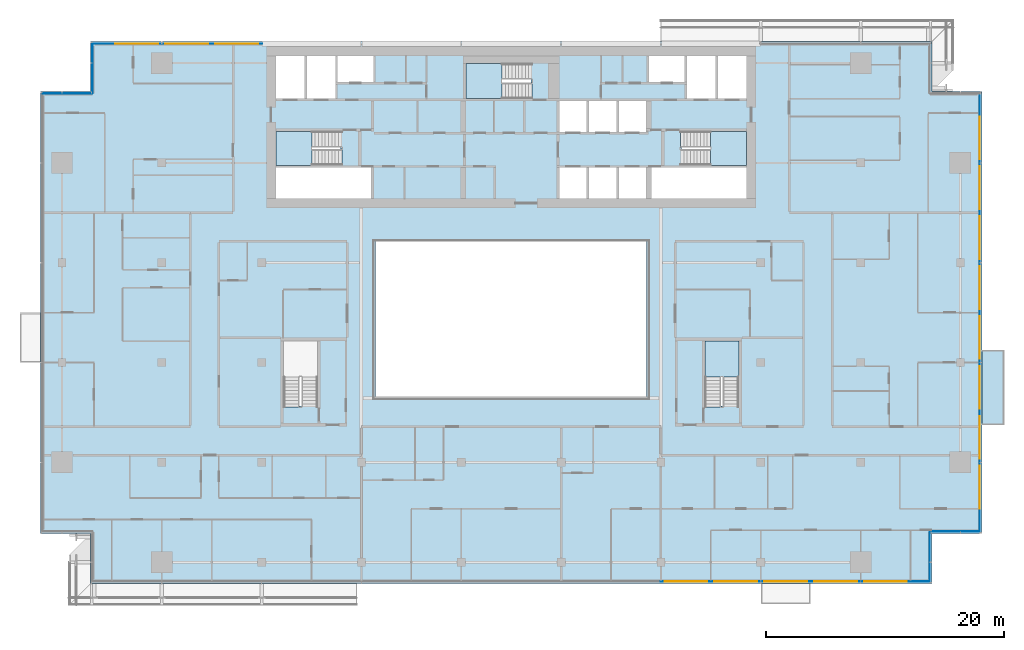
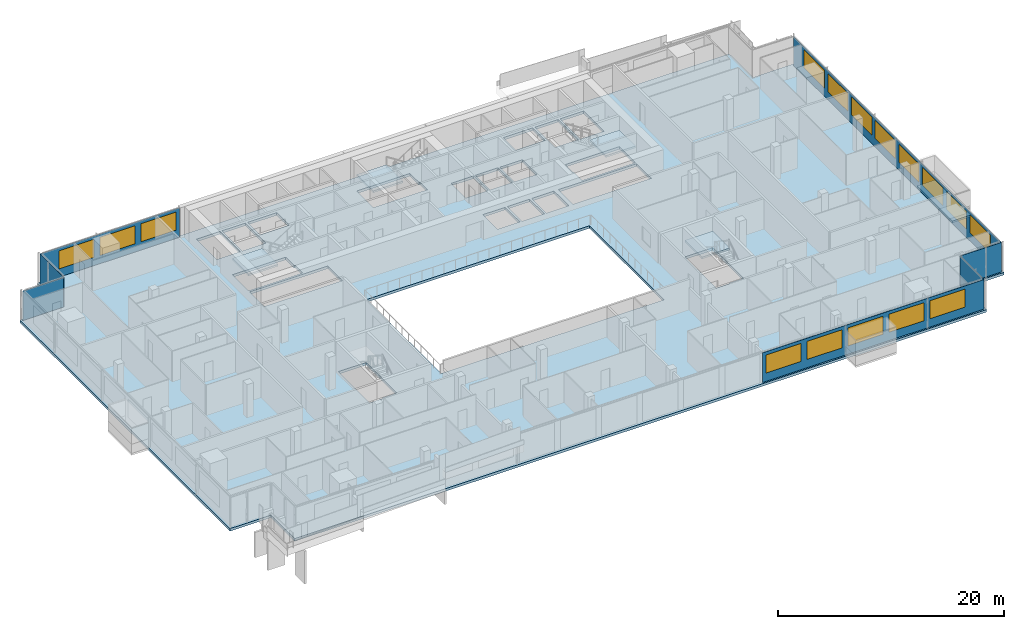
# One storey, part 15 of 30: 16 windows, 7 plates, 6 slabs, 16 openings, 11 elements without a shape of their own.
"""IFC4 building model written with IfcOpenShell, lengths in metres."""

from ifc_helpers import new_model, si_unit, direction, frame, frame_2d, origin, place, context, subcontext, project, spatial, polyline, rectangle, outline, extrude, material, layer, layer_set, type_object, element, fill, aggregate, save


model = new_model("IFC4")

# Units and contexts
model_context = context("Model", 3, precision=1e-05, world=origin(), true_north=direction((0.0, 1.0)))
body_context = subcontext(model_context, "Body", "Model", "MODEL_VIEW")
ifc_project = project(units=[si_unit("LENGTHUNIT", "METRE"), si_unit("AREAUNIT", "SQUARE_METRE"), si_unit("VOLUMEUNIT", "CUBIC_METRE"), si_unit("PLANEANGLEUNIT", "RADIAN"), si_unit("MASSUNIT", "GRAM", prefix="KILO")], contexts=[model_context])

# Site, building, storey
site_placement = place(None, origin())
site = spatial("IfcSite", under=ifc_project, at=site_placement, CompositionType="ELEMENT")
building_placement = place(site_placement, origin())
building = spatial("IfcBuilding", under=site, at=building_placement, Name="Saffron Gate Tower", CompositionType="ELEMENT")
storey_placement = place(building_placement, frame((0.0, 0.0, 169.050048828125)))
storey = spatial("IfcBuildingStorey", under=building, at=storey_placement, Name="L41", CompositionType="ELEMENT", Elevation=169.050048828125)

# Curtain wall, plate, openings, windows
ifc_material_1 = material(Name="Aluminium, bronze anodised", Category="aluminium")
curtain_wall_type_1 = type_object("IfcCurtainWallType", Name="CWS1 curtain wall front facade", PredefinedType="NOTDEFINED", material=ifc_material_1)
curtain_wall_1_placement = place(storey_placement, origin())
curtain_wall_1 = element("IfcCurtainWall", 1, at=curtain_wall_1_placement, inside=storey, type_object=curtain_wall_type_1, Name="CWS1 run 1", PredefinedType="NOTDEFINED")
ifc_material_2 = material(Name="Fritted bronze-tinted laminated glass", Category="glass")
ifc_layer_1 = layer(ifc_material_2, 0.028076171875)
ifc_layer_set_1 = layer_set([ifc_layer_1], Name="CWS1 fixed glass")
plate_type_1 = type_object("IfcPlateType", Name="CWS1 fixed glass", PredefinedType="CURTAIN_PANEL", material=ifc_layer_set_1)
plate_1_placement = place(storey_placement, frame((100.169921875, 30.174072265625, 0.0), z_axis=(0.0, 0.0, 1.0), x_axis=(1.0, 0.0, 0.0)))
plate_1 = element("IfcPlate", 2, at=plate_1_placement, type_object=plate_type_1, Name="CWS1 glass panel", PredefinedType="CURTAIN_PANEL", context=body_context, shape_type="SweptSolid", body=[
    extrude(rectangle(XDim=22.64208984375, YDim=0.028076171875, at=frame_2d((11.321044921875, 0.0))), origin(), (0.0, 0.0, 1.0), 3.199951171875),
])
opening_1_placement = place(plate_1_placement, frame((0.330078125, 0.0, 0.89990234375)))
opening_1 = element("IfcOpeningElement", 3, at=opening_1_placement, cuts=plate_1, Name="Opening W1", PredefinedType="OPENING", context=body_context, shape_type="SweptSolid", body=[
    extrude(rectangle(XDim=3.60009765625, YDim=1.949951171875, at=frame_2d((1.800048828125, 0.97509765625))), frame((0.0, 0.02392578125, 0.0), z_axis=(0.0, -1.0, 0.0), x_axis=(1.0, 0.0, 0.0)), (0.0, 0.0, 1.0), 0.048095703125),
])
opening_2_placement = place(plate_1_placement, frame((4.530029296875, 0.0, 0.89990234375)))
opening_2 = element("IfcOpeningElement", 4, at=opening_2_placement, cuts=plate_1, Name="Opening W1", PredefinedType="OPENING", context=body_context, shape_type="SweptSolid", body=[
    extrude(rectangle(XDim=3.60009765625, YDim=1.949951171875, at=frame_2d((1.800048828125, 0.97509765625))), frame((0.0, 0.02392578125, 0.0), z_axis=(0.0, -1.0, 0.0), x_axis=(1.0, 0.0, 0.0)), (0.0, 0.0, 1.0), 0.048095703125),
])
opening_3_placement = place(plate_1_placement, frame((8.72998046875, 0.0, 0.89990234375)))
opening_3 = element("IfcOpeningElement", 5, at=opening_3_placement, cuts=plate_1, Name="Opening W1", PredefinedType="OPENING", context=body_context, shape_type="SweptSolid", body=[
    extrude(rectangle(XDim=3.60009765625, YDim=1.949951171875, at=frame_2d((1.800048828125, 0.97509765625))), frame((0.0, 0.02392578125, 0.0), z_axis=(0.0, -1.0, 0.0), x_axis=(1.0, 0.0, 0.0)), (0.0, 0.0, 1.0), 0.048095703125),
])
opening_4_placement = place(plate_1_placement, frame((12.929931640625, 0.0, 0.89990234375)))
opening_4 = element("IfcOpeningElement", 6, at=opening_4_placement, cuts=plate_1, Name="Opening W1", PredefinedType="OPENING", context=body_context, shape_type="SweptSolid", body=[
    extrude(rectangle(XDim=3.60009765625, YDim=1.949951171875, at=frame_2d((1.800048828125, 0.97509765625))), frame((0.0, 0.02392578125, 0.0), z_axis=(0.0, -1.0, 0.0), x_axis=(1.0, 0.0, 0.0)), (0.0, 0.0, 1.0), 0.048095703125),
])
opening_5_placement = place(plate_1_placement, frame((17.1298828125, 0.0, 0.89990234375)))
opening_5 = element("IfcOpeningElement", 7, at=opening_5_placement, cuts=plate_1, Name="Opening W1", PredefinedType="OPENING", context=body_context, shape_type="SweptSolid", body=[
    extrude(rectangle(XDim=3.60009765625, YDim=1.949951171875, at=frame_2d((1.800048828125, 0.97509765625))), frame((0.0, 0.02392578125, 0.0), z_axis=(0.0, -1.0, 0.0), x_axis=(1.0, 0.0, 0.0)), (0.0, 0.0, 1.0), 0.048095703125),
])
ifc_material_3 = material(Name="Fritted bronze-tinted laminated glass in bronze frame", Category="glass")
ifc_layer_2 = layer(ifc_material_3, 0.06005859375)
ifc_layer_set_2 = layer_set([ifc_layer_2], Name="W1 operable panel 3600x1950")
window_type = type_object("IfcWindowType", Name="W1 operable panel 3600x1950", PartitioningType="DOUBLE_PANEL_HORIZONTAL", PredefinedType="WINDOW", material=ifc_layer_set_2)
window_1_placement = place(opening_1_placement, origin())
window_1 = element("IfcWindow", 8, at=window_1_placement, type_object=window_type, Name="W1 operable panel", OverallHeight=1.949951171875, OverallWidth=3.60009765625, PartitioningType="SINGLE_PANEL", PredefinedType="WINDOW", context=body_context, shape_type="SweptSolid", body=[
    extrude(rectangle(XDim=3.60009765625, YDim=1.949951171875, at=frame_2d((1.800048828125, 0.97509765625))), frame((0.0, 0.013671875, 0.0), z_axis=(0.0, -1.0, 0.0), x_axis=(1.0, 0.0, 0.0)), (0.0, 0.0, 1.0), 0.027587890625),
])
fill(opening_1, window_1)
window_2_placement = place(opening_2_placement, origin())
window_2 = element("IfcWindow", 9, at=window_2_placement, type_object=window_type, Name="W1 operable panel", OverallHeight=1.949951171875, OverallWidth=3.60009765625, PartitioningType="SINGLE_PANEL", PredefinedType="WINDOW", context=body_context, shape_type="SweptSolid", body=[
    extrude(rectangle(XDim=3.60009765625, YDim=1.949951171875, at=frame_2d((1.800048828125, 0.97509765625))), frame((0.0, 0.013671875, 0.0), z_axis=(0.0, -1.0, 0.0), x_axis=(1.0, 0.0, 0.0)), (0.0, 0.0, 1.0), 0.027587890625),
])
fill(opening_2, window_2)
window_3_placement = place(opening_3_placement, origin())
window_3 = element("IfcWindow", 10, at=window_3_placement, type_object=window_type, Name="W1 operable panel", OverallHeight=1.949951171875, OverallWidth=3.60009765625, PartitioningType="SINGLE_PANEL", PredefinedType="WINDOW", context=body_context, shape_type="SweptSolid", body=[
    extrude(rectangle(XDim=3.60009765625, YDim=1.949951171875, at=frame_2d((1.800048828125, 0.97509765625))), frame((0.0, 0.013671875, 0.0), z_axis=(0.0, -1.0, 0.0), x_axis=(1.0, 0.0, 0.0)), (0.0, 0.0, 1.0), 0.027587890625),
])
fill(opening_3, window_3)
window_4_placement = place(opening_4_placement, origin())
window_4 = element("IfcWindow", 11, at=window_4_placement, type_object=window_type, Name="W1 operable panel", OverallHeight=1.949951171875, OverallWidth=3.60009765625, PartitioningType="SINGLE_PANEL", PredefinedType="WINDOW", context=body_context, shape_type="SweptSolid", body=[
    extrude(rectangle(XDim=3.60009765625, YDim=1.949951171875, at=frame_2d((1.800048828125, 0.97509765625))), frame((0.0, 0.013671875, 0.0), z_axis=(0.0, -1.0, 0.0), x_axis=(1.0, 0.0, 0.0)), (0.0, 0.0, 1.0), 0.027587890625),
])
fill(opening_4, window_4)
window_5_placement = place(opening_5_placement, origin())
window_5 = element("IfcWindow", 12, at=window_5_placement, type_object=window_type, Name="W1 operable panel", OverallHeight=1.949951171875, OverallWidth=3.60009765625, PartitioningType="SINGLE_PANEL", PredefinedType="WINDOW", context=body_context, shape_type="SweptSolid", body=[
    extrude(rectangle(XDim=3.60009765625, YDim=1.949951171875, at=frame_2d((1.800048828125, 0.97509765625))), frame((0.0, 0.013671875, 0.0), z_axis=(0.0, -1.0, 0.0), x_axis=(1.0, 0.0, 0.0)), (0.0, 0.0, 1.0), 0.027587890625),
])
fill(opening_5, window_5)
aggregate(curtain_wall_1, [plate_1, window_1, window_2, window_3, window_4, window_5])

curtain_wall_type_2 = type_object("IfcCurtainWallType", Name="CWS2 curtain wall side facades", PredefinedType="NOTDEFINED", material=ifc_material_1)
curtain_wall_2_placement = place(storey_placement, origin())
curtain_wall_2 = element("IfcCurtainWall", 13, at=curtain_wall_2_placement, inside=storey, type_object=curtain_wall_type_2, Name="CWS2 run 4", PredefinedType="NOTDEFINED")
ifc_layer_3 = layer(ifc_material_2, 0.028076171875)
ifc_layer_set_3 = layer_set([ifc_layer_3], Name="CWS2 fixed glass")
plate_type_2 = type_object("IfcPlateType", Name="CWS2 fixed glass", PredefinedType="CURTAIN_PANEL", material=ifc_layer_set_3)
plate_2_placement = place(storey_placement, frame((127.02587890625, 34.387939453125, 0.0), z_axis=(0.0, 0.0, 1.0), x_axis=(0.0, 1.0, 0.0)))
plate_2 = element("IfcPlate", 14, at=plate_2_placement, type_object=plate_type_2, Name="CWS2 glass panel", PredefinedType="CURTAIN_PANEL", context=body_context, shape_type="SweptSolid", body=[
    extrude(rectangle(XDim=36.823974609375, YDim=0.028076171875, at=frame_2d((18.412109375, 0.0))), origin(), (0.0, 0.0, 1.0), 3.199951171875),
])
opening_6_placement = place(plate_2_placement, frame((1.912109375, 0.0, 0.89990234375)))
opening_6 = element("IfcOpeningElement", 15, at=opening_6_placement, cuts=plate_2, Name="Opening W1", PredefinedType="OPENING", context=body_context, shape_type="SweptSolid", body=[
    extrude(rectangle(XDim=3.60009765625, YDim=1.949951171875, at=frame_2d((1.800048828125, 0.97509765625))), frame((0.0, 0.02392578125, 0.0), z_axis=(0.0, -1.0, 0.0), x_axis=(1.0, 0.0, 0.0)), (0.0, 0.0, 1.0), 0.048095703125),
])
opening_7_placement = place(plate_2_placement, frame((6.112060546875, 0.0, 0.89990234375)))
opening_7 = element("IfcOpeningElement", 16, at=opening_7_placement, cuts=plate_2, Name="Opening W1", PredefinedType="OPENING", context=body_context, shape_type="SweptSolid", body=[
    extrude(rectangle(XDim=3.60009765625, YDim=1.949951171875, at=frame_2d((1.800048828125, 0.97509765625))), frame((0.0, 0.02392578125, 0.0), z_axis=(0.0, -1.0, 0.0), x_axis=(1.0, 0.0, 0.0)), (0.0, 0.0, 1.0), 0.048095703125),
])
opening_8_placement = place(plate_2_placement, frame((10.31201171875, 0.0, 0.89990234375)))
opening_8 = element("IfcOpeningElement", 17, at=opening_8_placement, cuts=plate_2, Name="Opening W1", PredefinedType="OPENING", context=body_context, shape_type="SweptSolid", body=[
    extrude(rectangle(XDim=3.60009765625, YDim=1.949951171875, at=frame_2d((1.800048828125, 0.97509765625))), frame((0.0, 0.02392578125, 0.0), z_axis=(0.0, -1.0, 0.0), x_axis=(1.0, 0.0, 0.0)), (0.0, 0.0, 1.0), 0.048095703125),
])
opening_9_placement = place(plate_2_placement, frame((14.511962890625, 0.0, 0.89990234375)))
opening_9 = element("IfcOpeningElement", 18, at=opening_9_placement, cuts=plate_2, Name="Opening W1", PredefinedType="OPENING", context=body_context, shape_type="SweptSolid", body=[
    extrude(rectangle(XDim=3.60009765625, YDim=1.949951171875, at=frame_2d((1.800048828125, 0.97509765625))), frame((0.0, 0.02392578125, 0.0), z_axis=(0.0, -1.0, 0.0), x_axis=(1.0, 0.0, 0.0)), (0.0, 0.0, 1.0), 0.048095703125),
])
opening_10_placement = place(plate_2_placement, frame((18.7119140625, 0.0, 0.89990234375)))
opening_10 = element("IfcOpeningElement", 19, at=opening_10_placement, cuts=plate_2, Name="Opening W1", PredefinedType="OPENING", context=body_context, shape_type="SweptSolid", body=[
    extrude(rectangle(XDim=3.60009765625, YDim=1.949951171875, at=frame_2d((1.800048828125, 0.97509765625))), frame((0.0, 0.02392578125, 0.0), z_axis=(0.0, -1.0, 0.0), x_axis=(1.0, 0.0, 0.0)), (0.0, 0.0, 1.0), 0.048095703125),
])
opening_11_placement = place(plate_2_placement, frame((22.912109375, 0.0, 0.89990234375)))
opening_11 = element("IfcOpeningElement", 20, at=opening_11_placement, cuts=plate_2, Name="Opening W1", PredefinedType="OPENING", context=body_context, shape_type="SweptSolid", body=[
    extrude(rectangle(XDim=3.60009765625, YDim=1.949951171875, at=frame_2d((1.800048828125, 0.97509765625))), frame((0.0, 0.02392578125, 0.0), z_axis=(0.0, -1.0, 0.0), x_axis=(1.0, 0.0, 0.0)), (0.0, 0.0, 1.0), 0.048095703125),
])
opening_12_placement = place(plate_2_placement, frame((27.112060546875, 0.0, 0.89990234375)))
opening_12 = element("IfcOpeningElement", 21, at=opening_12_placement, cuts=plate_2, Name="Opening W1", PredefinedType="OPENING", context=body_context, shape_type="SweptSolid", body=[
    extrude(rectangle(XDim=3.60009765625, YDim=1.949951171875, at=frame_2d((1.800048828125, 0.97509765625))), frame((0.0, 0.02392578125, 0.0), z_axis=(0.0, -1.0, 0.0), x_axis=(1.0, 0.0, 0.0)), (0.0, 0.0, 1.0), 0.048095703125),
])
opening_13_placement = place(plate_2_placement, frame((31.31201171875, 0.0, 0.89990234375)))
opening_13 = element("IfcOpeningElement", 22, at=opening_13_placement, cuts=plate_2, Name="Opening W1", PredefinedType="OPENING", context=body_context, shape_type="SweptSolid", body=[
    extrude(rectangle(XDim=3.60009765625, YDim=1.949951171875, at=frame_2d((1.800048828125, 0.97509765625))), frame((0.0, 0.02392578125, 0.0), z_axis=(0.0, -1.0, 0.0), x_axis=(1.0, 0.0, 0.0)), (0.0, 0.0, 1.0), 0.048095703125),
])
window_6_placement = place(opening_6_placement, origin())
window_6 = element("IfcWindow", 23, at=window_6_placement, type_object=window_type, Name="W1 operable panel", OverallHeight=1.949951171875, OverallWidth=3.60009765625, PartitioningType="SINGLE_PANEL", PredefinedType="WINDOW", context=body_context, shape_type="SweptSolid", body=[
    extrude(rectangle(XDim=3.60009765625, YDim=1.949951171875, at=frame_2d((1.800048828125, 0.97509765625))), frame((0.0, 0.013671875, 0.0), z_axis=(0.0, -1.0, 0.0), x_axis=(1.0, 0.0, 0.0)), (0.0, 0.0, 1.0), 0.027587890625),
])
fill(opening_6, window_6)
window_7_placement = place(opening_7_placement, origin())
window_7 = element("IfcWindow", 24, at=window_7_placement, type_object=window_type, Name="W1 operable panel", OverallHeight=1.949951171875, OverallWidth=3.60009765625, PartitioningType="SINGLE_PANEL", PredefinedType="WINDOW", context=body_context, shape_type="SweptSolid", body=[
    extrude(rectangle(XDim=3.60009765625, YDim=1.949951171875, at=frame_2d((1.800048828125, 0.97509765625))), frame((0.0, 0.013671875, 0.0), z_axis=(0.0, -1.0, 0.0), x_axis=(1.0, 0.0, 0.0)), (0.0, 0.0, 1.0), 0.027587890625),
])
fill(opening_7, window_7)
window_8_placement = place(opening_8_placement, origin())
window_8 = element("IfcWindow", 25, at=window_8_placement, type_object=window_type, Name="W1 operable panel", OverallHeight=1.949951171875, OverallWidth=3.60009765625, PartitioningType="SINGLE_PANEL", PredefinedType="WINDOW", context=body_context, shape_type="SweptSolid", body=[
    extrude(rectangle(XDim=3.60009765625, YDim=1.949951171875, at=frame_2d((1.800048828125, 0.97509765625))), frame((0.0, 0.013671875, 0.0), z_axis=(0.0, -1.0, 0.0), x_axis=(1.0, 0.0, 0.0)), (0.0, 0.0, 1.0), 0.027587890625),
])
fill(opening_8, window_8)
window_9_placement = place(opening_9_placement, origin())
window_9 = element("IfcWindow", 26, at=window_9_placement, type_object=window_type, Name="W1 operable panel", OverallHeight=1.949951171875, OverallWidth=3.60009765625, PartitioningType="SINGLE_PANEL", PredefinedType="WINDOW", context=body_context, shape_type="SweptSolid", body=[
    extrude(rectangle(XDim=3.60009765625, YDim=1.949951171875, at=frame_2d((1.800048828125, 0.97509765625))), frame((0.0, 0.013671875, 0.0), z_axis=(0.0, -1.0, 0.0), x_axis=(1.0, 0.0, 0.0)), (0.0, 0.0, 1.0), 0.027587890625),
])
fill(opening_9, window_9)
window_10_placement = place(opening_10_placement, origin())
window_10 = element("IfcWindow", 27, at=window_10_placement, type_object=window_type, Name="W1 operable panel", OverallHeight=1.949951171875, OverallWidth=3.60009765625, PartitioningType="SINGLE_PANEL", PredefinedType="WINDOW", context=body_context, shape_type="SweptSolid", body=[
    extrude(rectangle(XDim=3.60009765625, YDim=1.949951171875, at=frame_2d((1.800048828125, 0.97509765625))), frame((0.0, 0.013671875, 0.0), z_axis=(0.0, -1.0, 0.0), x_axis=(1.0, 0.0, 0.0)), (0.0, 0.0, 1.0), 0.027587890625),
])
fill(opening_10, window_10)
window_11_placement = place(opening_11_placement, origin())
window_11 = element("IfcWindow", 28, at=window_11_placement, type_object=window_type, Name="W1 operable panel", OverallHeight=1.949951171875, OverallWidth=3.60009765625, PartitioningType="SINGLE_PANEL", PredefinedType="WINDOW", context=body_context, shape_type="SweptSolid", body=[
    extrude(rectangle(XDim=3.60009765625, YDim=1.949951171875, at=frame_2d((1.800048828125, 0.97509765625))), frame((0.0, 0.013671875, 0.0), z_axis=(0.0, -1.0, 0.0), x_axis=(1.0, 0.0, 0.0)), (0.0, 0.0, 1.0), 0.027587890625),
])
fill(opening_11, window_11)
window_12_placement = place(opening_12_placement, origin())
window_12 = element("IfcWindow", 29, at=window_12_placement, type_object=window_type, Name="W1 operable panel", OverallHeight=1.949951171875, OverallWidth=3.60009765625, PartitioningType="SINGLE_PANEL", PredefinedType="WINDOW", context=body_context, shape_type="SweptSolid", body=[
    extrude(rectangle(XDim=3.60009765625, YDim=1.949951171875, at=frame_2d((1.800048828125, 0.97509765625))), frame((0.0, 0.013671875, 0.0), z_axis=(0.0, -1.0, 0.0), x_axis=(1.0, 0.0, 0.0)), (0.0, 0.0, 1.0), 0.027587890625),
])
fill(opening_12, window_12)
window_13_placement = place(opening_13_placement, origin())
window_13 = element("IfcWindow", 30, at=window_13_placement, type_object=window_type, Name="W1 operable panel", OverallHeight=1.949951171875, OverallWidth=3.60009765625, PartitioningType="SINGLE_PANEL", PredefinedType="WINDOW", context=body_context, shape_type="SweptSolid", body=[
    extrude(rectangle(XDim=3.60009765625, YDim=1.949951171875, at=frame_2d((1.800048828125, 0.97509765625))), frame((0.0, 0.013671875, 0.0), z_axis=(0.0, -1.0, 0.0), x_axis=(1.0, 0.0, 0.0)), (0.0, 0.0, 1.0), 0.027587890625),
])
fill(opening_13, window_13)
aggregate(curtain_wall_2, [plate_2, window_6, window_7, window_8, window_9, window_10, window_11, window_12, window_13])

curtain_wall_type_3 = type_object("IfcCurtainWallType", Name="CWS3 curtain wall rear facade", PredefinedType="NOTDEFINED", material=ifc_material_1)
curtain_wall_3_placement = place(storey_placement, origin())
curtain_wall_3 = element("IfcCurtainWall", 31, at=curtain_wall_3_placement, inside=storey, type_object=curtain_wall_type_3, Name="CWS3 run 7", PredefinedType="NOTDEFINED")
ifc_material_4 = material(Name="Fritted grey-tinted laminated glass", Category="glass")
ifc_layer_4 = layer(ifc_material_4, 0.028076171875)
ifc_layer_set_4 = layer_set([ifc_layer_4], Name="CWS3 fixed glass")
plate_type_3 = type_object("IfcPlateType", Name="CWS3 fixed glass", PredefinedType="CURTAIN_PANEL", material=ifc_layer_set_4)
plate_3_placement = place(storey_placement, frame((66.635009765625, 75.426025390625, 0.0), z_axis=(0.0, 0.0, 1.0), x_axis=(-1.0, 0.0, 0.0)))
plate_3 = element("IfcPlate", 32, at=plate_3_placement, type_object=plate_type_3, Name="CWS3 glass panel", PredefinedType="CURTAIN_PANEL", context=body_context, shape_type="SweptSolid", body=[
    extrude(rectangle(XDim=14.2470703125, YDim=0.028076171875, at=frame_2d((7.12353515625, 0.0))), origin(), (0.0, 0.0, 1.0), 3.199951171875),
])
opening_14_placement = place(plate_3_placement, frame((0.3349609375, 0.0, 0.89990234375)))
opening_14 = element("IfcOpeningElement", 33, at=opening_14_placement, cuts=plate_3, Name="Opening W1", PredefinedType="OPENING", context=body_context, shape_type="SweptSolid", body=[
    extrude(rectangle(XDim=3.60009765625, YDim=1.949951171875, at=frame_2d((1.800048828125, 0.97509765625))), frame((0.0, 0.02392578125, 0.0), z_axis=(0.0, -1.0, 0.0), x_axis=(1.0, 0.0, 0.0)), (0.0, 0.0, 1.0), 0.048095703125),
])
opening_15_placement = place(plate_3_placement, frame((4.534912109375, 0.0, 0.89990234375)))
opening_15 = element("IfcOpeningElement", 34, at=opening_15_placement, cuts=plate_3, Name="Opening W1", PredefinedType="OPENING", context=body_context, shape_type="SweptSolid", body=[
    extrude(rectangle(XDim=3.60009765625, YDim=1.949951171875, at=frame_2d((1.800048828125, 0.97509765625))), frame((0.0, 0.02392578125, 0.0), z_axis=(0.0, -1.0, 0.0), x_axis=(1.0, 0.0, 0.0)), (0.0, 0.0, 1.0), 0.048095703125),
])
opening_16_placement = place(plate_3_placement, frame((8.735107421875, 0.0, 0.89990234375)))
opening_16 = element("IfcOpeningElement", 35, at=opening_16_placement, cuts=plate_3, Name="Opening W1", PredefinedType="OPENING", context=body_context, shape_type="SweptSolid", body=[
    extrude(rectangle(XDim=3.60009765625, YDim=1.949951171875, at=frame_2d((1.800048828125, 0.97509765625))), frame((0.0, 0.02392578125, 0.0), z_axis=(0.0, -1.0, 0.0), x_axis=(1.0, 0.0, 0.0)), (0.0, 0.0, 1.0), 0.048095703125),
])
window_14_placement = place(opening_14_placement, origin())
window_14 = element("IfcWindow", 36, at=window_14_placement, type_object=window_type, Name="W1 operable panel", OverallHeight=1.949951171875, OverallWidth=3.60009765625, PartitioningType="SINGLE_PANEL", PredefinedType="WINDOW", context=body_context, shape_type="SweptSolid", body=[
    extrude(rectangle(XDim=3.60009765625, YDim=1.949951171875, at=frame_2d((1.800048828125, 0.97509765625))), frame((0.0, 0.013671875, 0.0), z_axis=(0.0, -1.0, 0.0), x_axis=(1.0, 0.0, 0.0)), (0.0, 0.0, 1.0), 0.027587890625),
])
fill(opening_14, window_14)
window_15_placement = place(opening_15_placement, origin())
window_15 = element("IfcWindow", 37, at=window_15_placement, type_object=window_type, Name="W1 operable panel", OverallHeight=1.949951171875, OverallWidth=3.60009765625, PartitioningType="SINGLE_PANEL", PredefinedType="WINDOW", context=body_context, shape_type="SweptSolid", body=[
    extrude(rectangle(XDim=3.60009765625, YDim=1.949951171875, at=frame_2d((1.800048828125, 0.97509765625))), frame((0.0, 0.013671875, 0.0), z_axis=(0.0, -1.0, 0.0), x_axis=(1.0, 0.0, 0.0)), (0.0, 0.0, 1.0), 0.027587890625),
])
fill(opening_15, window_15)
window_16_placement = place(opening_16_placement, origin())
window_16 = element("IfcWindow", 38, at=window_16_placement, type_object=window_type, Name="W1 operable panel", OverallHeight=1.949951171875, OverallWidth=3.60009765625, PartitioningType="SINGLE_PANEL", PredefinedType="WINDOW", context=body_context, shape_type="SweptSolid", body=[
    extrude(rectangle(XDim=3.60009765625, YDim=1.949951171875, at=frame_2d((1.800048828125, 0.97509765625))), frame((0.0, 0.013671875, 0.0), z_axis=(0.0, -1.0, 0.0), x_axis=(1.0, 0.0, 0.0)), (0.0, 0.0, 1.0), 0.027587890625),
])
fill(opening_16, window_16)
aggregate(curtain_wall_3, [plate_3, window_14, window_15, window_16])

# Curtain wall, plate
curtain_wall_type_4 = type_object("IfcCurtainWallType", Name="CWS4 curtain wall corner returns", PredefinedType="NOTDEFINED", material=ifc_material_1)
curtain_wall_4_placement = place(storey_placement, origin())
curtain_wall_4 = element("IfcCurtainWall", 39, at=curtain_wall_4_placement, inside=storey, type_object=curtain_wall_type_4, Name="CWS4 run 2", PredefinedType="NOTDEFINED")
ifc_layer_5 = layer(ifc_material_2, 0.028076171875)
ifc_layer_set_5 = layer_set([ifc_layer_5], Name="CWS4 fixed glass")
plate_type_4 = type_object("IfcPlateType", Name="CWS4 fixed glass", PredefinedType="CURTAIN_PANEL", material=ifc_layer_set_5)
plate_4_placement = place(storey_placement, frame((122.825927734375, 30.18798828125, 0.0), z_axis=(0.0, 0.0, 1.0), x_axis=(0.0, 1.0, 0.0)))
plate_4 = element("IfcPlate", 40, at=plate_4_placement, type_object=plate_type_4, Name="CWS4 glass panel", PredefinedType="CURTAIN_PANEL", context=body_context, shape_type="SweptSolid", body=[
    extrude(rectangle(XDim=4.172119140625, YDim=0.028076171875, at=frame_2d((2.0859375, 0.0))), origin(), (0.0, 0.0, 1.0), 3.199951171875),
])
aggregate(curtain_wall_4, [plate_4])

curtain_wall_5_placement = place(storey_placement, origin())
curtain_wall_5 = element("IfcCurtainWall", 41, at=curtain_wall_5_placement, inside=storey, type_object=curtain_wall_type_4, Name="CWS4 run 3", PredefinedType="NOTDEFINED")
plate_5_placement = place(storey_placement, frame((122.840087890625, 34.3740234375, 0.0), z_axis=(0.0, 0.0, 1.0), x_axis=(1.0, 0.0, 0.0)))
plate_5 = element("IfcPlate", 42, at=plate_5_placement, type_object=plate_type_4, Name="CWS4 glass panel", PredefinedType="CURTAIN_PANEL", context=body_context, shape_type="SweptSolid", body=[
    extrude(rectangle(XDim=4.171875, YDim=0.028076171875, at=frame_2d((2.0859375, 0.0))), origin(), (0.0, 0.0, 1.0), 3.199951171875),
])
aggregate(curtain_wall_5, [plate_5])

curtain_wall_6_placement = place(storey_placement, origin())
curtain_wall_6 = element("IfcCurtainWall", 43, at=curtain_wall_6_placement, inside=storey, type_object=curtain_wall_type_4, Name="CWS4 run 8", PredefinedType="NOTDEFINED")
plate_6_placement = place(storey_placement, frame((52.3740234375, 75.412109375, 0.0), z_axis=(0.0, 0.0, 1.0), x_axis=(0.0, -1.0, 0.0)))
plate_6 = element("IfcPlate", 44, at=plate_6_placement, type_object=plate_type_4, Name="CWS4 glass panel", PredefinedType="CURTAIN_PANEL", context=body_context, shape_type="SweptSolid", body=[
    extrude(rectangle(XDim=4.172119140625, YDim=0.028076171875, at=frame_2d((2.0859375, 0.0))), origin(), (0.0, 0.0, 1.0), 3.199951171875),
])
aggregate(curtain_wall_6, [plate_6])

curtain_wall_7_placement = place(storey_placement, origin())
curtain_wall_7 = element("IfcCurtainWall", 45, at=curtain_wall_7_placement, inside=storey, type_object=curtain_wall_type_4, Name="CWS4 run 9", PredefinedType="NOTDEFINED")
plate_7_placement = place(storey_placement, frame((52.360107421875, 71.22607421875, 0.0), z_axis=(0.0, 0.0, 1.0), x_axis=(-1.0, 0.0, 0.0)))
plate_7 = element("IfcPlate", 46, at=plate_7_placement, type_object=plate_type_4, Name="CWS4 glass panel", PredefinedType="CURTAIN_PANEL", context=body_context, shape_type="SweptSolid", body=[
    extrude(rectangle(XDim=4.172119140625, YDim=0.028076171875, at=frame_2d((2.0859375, 0.0))), origin(), (0.0, 0.0, 1.0), 3.199951171875),
])
aggregate(curtain_wall_7, [plate_7])

# Slab
ifc_material_5 = material(Name="Concrete C40", Category="concrete")
ifc_layer_6 = layer(ifc_material_5, 0.280029296875)
ifc_layer_set_6 = layer_set([ifc_layer_6], Name="S2 FLOOR SLAB 280 CONCRETE C40")
slab_type_1 = type_object("IfcSlabType", Name="S2 FLOOR SLAB 280 CONCRETE C40", PredefinedType="FLOOR", material=ifc_layer_set_6)
slab_1_placement = place(storey_placement, frame((0.0, 0.0, -0.280029296875)))
element("IfcSlab", 47, at=slab_1_placement, inside=storey, type_object=slab_type_1, Name="S2 FLOOR SLAB", PredefinedType="FLOOR", context=body_context, shape_type="SweptSolid", body=[
    extrude(outline(polyline([(48.0, 34.199951171875), (52.199951171875, 34.199951171875), (52.199951171875, 30.0), (123.0, 30.0), (123.0, 34.199951171875), (127.199951171875, 34.199951171875), (127.199951171875, 71.39990234375), (123.0, 71.39990234375), (123.0, 75.60009765625), (52.199951171875, 75.60009765625), (52.199951171875, 71.39990234375), (48.0, 71.39990234375), (48.0, 34.199951171875)]), holes=[polyline([(67.800048828125, 62.39990234375), (67.800048828125, 65.0), (75.800048828125, 65.0), (75.800048828125, 62.39990234375), (67.800048828125, 62.39990234375)]), polyline([(67.800048828125, 65.199951171875), (67.800048828125, 68.050048828125), (73.25, 68.050048828125), (73.25, 66.550048828125), (73.34912109375, 66.550048828125), (73.34912109375, 65.199951171875), (67.800048828125, 65.199951171875)]), polyline([(67.800048828125, 70.800048828125), (67.800048828125, 74.39990234375), (70.199951171875, 74.39990234375), (70.199951171875, 70.800048828125), (67.800048828125, 70.800048828125)]), polyline([(68.449951171875, 44.85107421875), (68.449951171875, 50.39990234375), (71.300048828125, 50.39990234375), (71.300048828125, 44.949951171875), (69.800048828125, 44.949951171875), (69.800048828125, 44.85107421875), (68.449951171875, 44.85107421875)]), polyline([(70.39990234375, 70.800048828125), (70.39990234375, 74.39990234375), (72.800048828125, 74.39990234375), (72.800048828125, 70.800048828125), (70.39990234375, 70.800048828125)]), polyline([(73.0, 72.199951171875), (73.0, 74.39990234375), (76.0, 74.39990234375), (76.0, 72.199951171875), (73.0, 72.199951171875)]), polyline([(76.199951171875, 45.60009765625), (76.199951171875, 58.800048828125), (99.0, 58.800048828125), (99.0, 45.60009765625), (76.199951171875, 45.60009765625)]), polyline([(83.800048828125, 70.800048828125), (83.800048828125, 73.75), (89.25, 73.75), (89.25, 72.14990234375), (89.34912109375, 72.14990234375), (89.34912109375, 70.800048828125), (83.800048828125, 70.800048828125)]), polyline([(91.64990234375, 62.39990234375), (91.64990234375, 65.0), (93.949951171875, 65.0), (93.949951171875, 62.39990234375), (91.64990234375, 62.39990234375)]), polyline([(91.64990234375, 68.0), (91.64990234375, 70.60009765625), (93.949951171875, 70.60009765625), (93.949951171875, 68.0), (91.64990234375, 68.0)]), polyline([(94.14990234375, 62.39990234375), (94.14990234375, 65.0), (96.449951171875, 65.0), (96.449951171875, 62.39990234375), (94.14990234375, 62.39990234375)]), polyline([(94.14990234375, 68.0), (94.14990234375, 70.60009765625), (96.449951171875, 70.60009765625), (96.449951171875, 68.0), (94.14990234375, 68.0)]), polyline([(96.64990234375, 62.39990234375), (96.64990234375, 65.0), (98.949951171875, 65.0), (98.949951171875, 62.39990234375), (96.64990234375, 62.39990234375)]), polyline([(96.64990234375, 68.0), (96.64990234375, 70.60009765625), (98.949951171875, 70.60009765625), (98.949951171875, 68.0), (96.64990234375, 68.0)]), polyline([(99.199951171875, 72.199951171875), (99.199951171875, 74.39990234375), (102.199951171875, 74.39990234375), (102.199951171875, 72.199951171875), (99.199951171875, 72.199951171875)]), polyline([(99.39990234375, 62.39990234375), (99.39990234375, 65.0), (107.39990234375, 65.0), (107.39990234375, 62.39990234375), (99.39990234375, 62.39990234375)]), polyline([(101.85107421875, 66.699951171875), (101.85107421875, 68.050048828125), (107.39990234375, 68.050048828125), (107.39990234375, 65.199951171875), (101.949951171875, 65.199951171875), (101.949951171875, 66.699951171875), (101.85107421875, 66.699951171875)]), polyline([(102.39990234375, 70.800048828125), (102.39990234375, 74.39990234375), (104.800048828125, 74.39990234375), (104.800048828125, 70.800048828125), (102.39990234375, 70.800048828125)]), polyline([(103.89990234375, 44.85107421875), (103.89990234375, 50.39990234375), (106.75, 50.39990234375), (106.75, 44.949951171875), (105.25, 44.949951171875), (105.25, 44.85107421875), (103.89990234375, 44.85107421875)]), polyline([(105.0, 70.800048828125), (105.0, 74.39990234375), (107.39990234375, 74.39990234375), (107.39990234375, 70.800048828125), (105.0, 70.800048828125)])]), origin(), (0.0, 0.0, 1.0), 0.280029296875),
])

# Stair, slab
stair_type = type_object("IfcStairType", Name="ST7 Stair 1350 wide, 20 risers of 180", PredefinedType="HALF_TURN_STAIR", material=ifc_material_5)
stair_1_placement = place(storey_placement, origin())
stair_1 = element("IfcStair", 48, at=stair_1_placement, inside=storey, type_object=stair_type, Name="L41 Exit stair A", PredefinedType="HALF_TURN_STAIR")
ifc_layer_7 = layer(ifc_material_5, 0.199951171875)
ifc_layer_set_7 = layer_set([ifc_layer_7], Name="SL1 Stair landing 200")
slab_type_2 = type_object("IfcSlabType", Name="SL1 Stair landing 200", PredefinedType="LANDING", material=ifc_layer_set_7)
slab_2_placement = place(storey_placement, frame((0.0, 0.0, 1.599853515625)))
slab_2 = element("IfcSlab", 49, at=slab_2_placement, type_object=slab_type_2, Name="ST-A landing 1", PredefinedType="LANDING", context=body_context, shape_type="SweptSolid", body=[
    extrude(outline(polyline([(70.830078125, 68.050048828125), (67.800048828125, 68.050048828125), (67.800048828125, 65.199951171875), (70.830078125, 65.199951171875), (70.830078125, 68.050048828125)])), origin(), (0.0, 0.0, 1.0), 0.2001953125),
])
aggregate(stair_1, [slab_2])

stair_2_placement = place(storey_placement, origin())
stair_2 = element("IfcStair", 50, at=stair_2_placement, inside=storey, type_object=stair_type, Name="L41 Exit stair B", PredefinedType="HALF_TURN_STAIR")
slab_3_placement = place(storey_placement, frame((0.0, 0.0, 1.599853515625)))
slab_3 = element("IfcSlab", 51, at=slab_3_placement, type_object=slab_type_2, Name="ST-B landing 1", PredefinedType="LANDING", context=body_context, shape_type="SweptSolid", body=[
    extrude(outline(polyline([(104.3701171875, 65.199951171875), (107.39990234375, 65.199951171875), (107.39990234375, 68.050048828125), (104.3701171875, 68.050048828125), (104.3701171875, 65.199951171875)])), origin(), (0.0, 0.0, 1.0), 0.2001953125),
])
aggregate(stair_2, [slab_3])

stair_3_placement = place(storey_placement, origin())
stair_3 = element("IfcStair", 52, at=stair_3_placement, inside=storey, type_object=stair_type, Name="L41 Exit stair C", PredefinedType="HALF_TURN_STAIR")
slab_4_placement = place(storey_placement, frame((0.0, 0.0, 1.599853515625)))
slab_4 = element("IfcSlab", 53, at=slab_4_placement, type_object=slab_type_2, Name="ST-C landing 1", PredefinedType="LANDING", context=body_context, shape_type="SweptSolid", body=[
    extrude(outline(polyline([(86.830078125, 73.75), (83.800048828125, 73.75), (83.800048828125, 70.800048828125), (86.830078125, 70.800048828125), (86.830078125, 73.75)])), origin(), (0.0, 0.0, 1.0), 0.2001953125),
])
aggregate(stair_3, [slab_4])

stair_4_placement = place(storey_placement, origin())
stair_4 = element("IfcStair", 54, at=stair_4_placement, inside=storey, type_object=stair_type, Name="L41 Exit stair E", PredefinedType="HALF_TURN_STAIR")
slab_5_placement = place(storey_placement, frame((0.0, 0.0, 1.599853515625)))
slab_5 = element("IfcSlab", 55, at=slab_5_placement, type_object=slab_type_2, Name="ST-E landing 1", PredefinedType="LANDING", context=body_context, shape_type="SweptSolid", body=[
    extrude(outline(polyline([(106.75, 47.3701171875), (106.75, 50.39990234375), (103.89990234375, 50.39990234375), (103.89990234375, 47.3701171875), (106.75, 47.3701171875)])), origin(), (0.0, 0.0, 1.0), 0.2001953125),
])
aggregate(stair_4, [slab_5])

# Slab
ifc_material_6 = material(Name="Timber deck on bronze frame", Category="wood")
ifc_layer_8 = layer(ifc_material_6, 0.199951171875)
ifc_layer_set_8 = layer_set([ifc_layer_8], Name="WB1 box floor")
slab_type_3 = type_object("IfcSlabType", Name="WB1 box floor", PredefinedType="FLOOR", material=ifc_layer_set_8)
slab_6_placement = place(storey_placement, frame((0.0, 0.0, -0.199951171875)))
element("IfcSlab", 56, at=slab_6_placement, inside=storey, type_object=slab_type_3, Name="WINDOW BOX floor", PredefinedType="FLOOR", context=body_context, shape_type="SweptSolid", body=[
    extrude(outline(polyline([(127.199951171875, 43.35009765625), (127.199951171875, 49.64990234375), (129.06689453125, 49.64990234375), (129.06689453125, 43.35009765625), (127.199951171875, 43.35009765625)])), origin(), (0.0, 0.0, 1.0), 0.199951171875),
])

save(model, "model.ifc")
